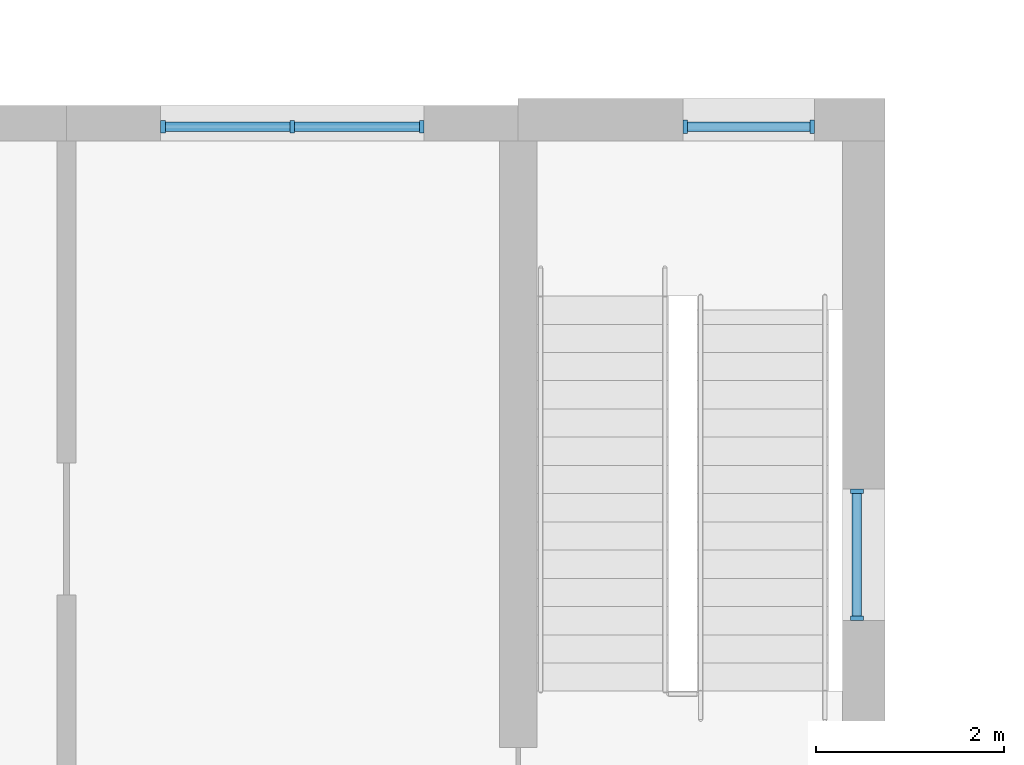
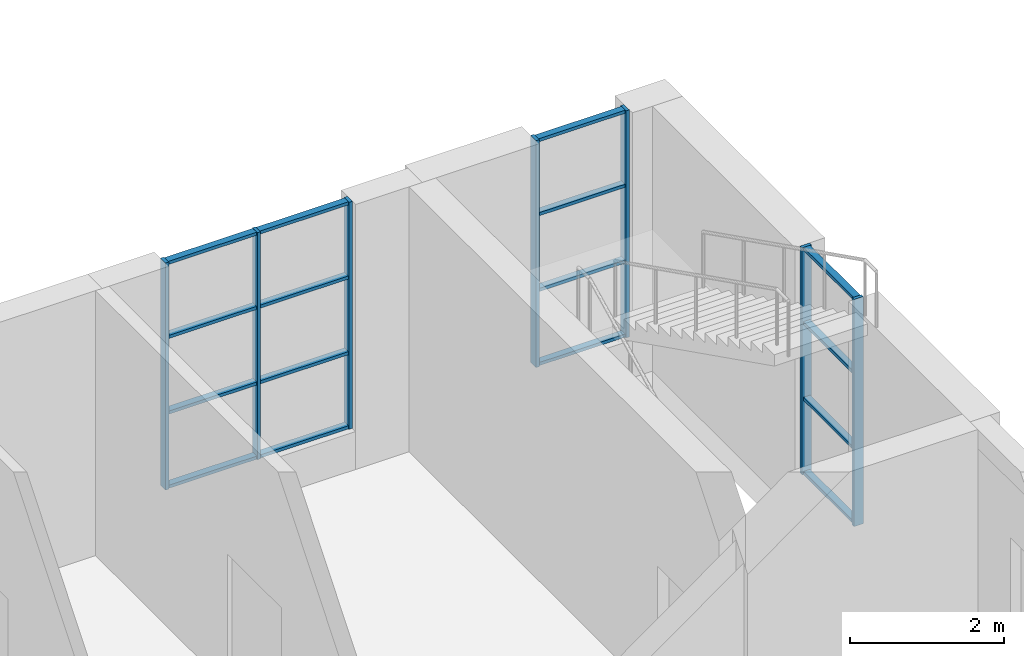
# One storey, part 18 of 66: 23 members, 3 elements without a shape of their own.
"""IFC4 building model written with IfcOpenShell, lengths in metres."""

from ifc_helpers import new_model, si_unit, direction, frame, origin, origin_2d, place, context, subcontext, project, spatial, rectangle, extrude, material, material_profile, profile_set, type_object, element, aggregate, save


model = new_model("IFC4")

# Units and contexts
model_context = context("Model", 3, precision=1e-05, world=origin(), true_north=direction((0.0, 1.0)))
body_context = subcontext(model_context, "Body", "Model", "MODEL_VIEW")
ifc_project = project(units=[si_unit("LENGTHUNIT", "METRE"), si_unit("AREAUNIT", "SQUARE_METRE"), si_unit("VOLUMEUNIT", "CUBIC_METRE"), si_unit("PLANEANGLEUNIT", "RADIAN"), si_unit("MASSUNIT", "GRAM", prefix="KILO")], contexts=[model_context])

# Site, building, storey
site_placement = place(None, origin())
site = spatial("IfcSite", under=ifc_project, at=site_placement, CompositionType="ELEMENT")
building_placement = place(site_placement, origin())
building = spatial("IfcBuilding", under=site, at=building_placement, Name="Yavir Park General Hospital", CompositionType="ELEMENT")
storey_placement = place(building_placement, frame((0.0, 0.0, 8.39990234375)))
storey = spatial("IfcBuildingStorey", under=building, at=storey_placement, Name="L02", CompositionType="ELEMENT", Elevation=8.39990234375)

# Curtain wall, members
ifc_material_1 = material(Name="Aluminium curtain wall frame with insulated glazing", Category="aluminium")
curtain_wall_type_1 = type_object("IfcCurtainWallType", Name="Clinical corridor end glazing, 3600 high, 1400 module", PredefinedType="NOTDEFINED", material=ifc_material_1)
curtain_wall_1_placement = place(storey_placement, origin())
curtain_wall_1 = element("IfcCurtainWall", 1, at=curtain_wall_1_placement, inside=storey, type_object=curtain_wall_type_1, Name="CW59 L02-016", PredefinedType="NOTDEFINED")
ifc_material_2 = material(Name="Aluminium", Category="aluminium")
ifc_material_profile_1 = material_profile(ifc_material_2, rectangle(XDim=0.1298828125, YDim=0.050048828125, at=origin_2d()), Name="AL 50x130")
ifc_profile_set_1 = profile_set([ifc_material_profile_1], Name="Aluminium")
member_type_1 = type_object("IfcMemberType", Name="Clinical corridor end glazing, 3600 high mullion 50 x 130", PredefinedType="MULLION", material=ifc_profile_set_1)
member_1_placement = place(storey_placement, frame((17.824951171875, 117.60009765625, 0.60009765625), z_axis=(0.0, 0.0, 1.0), x_axis=(0.0, 1.0, 0.0)))
member_1 = element("IfcMember", 2, at=member_1_placement, type_object=member_type_1, Name="CW59 mullion 1", PredefinedType="MULLION", context=body_context, shape_type="SweptSolid", body=[
    extrude(rectangle(XDim=0.1298828125, YDim=0.050048828125, at=origin_2d()), origin(), (0.0, 0.0, 1.0), 3.60009765625),
])
member_2_placement = place(storey_placement, frame((19.199951171875, 117.60009765625, 0.60009765625), z_axis=(0.0, 0.0, 1.0), x_axis=(0.0, 1.0, 0.0)))
member_2 = element("IfcMember", 3, at=member_2_placement, type_object=member_type_1, Name="CW59 mullion 2", PredefinedType="MULLION", context=body_context, shape_type="SweptSolid", body=[
    extrude(rectangle(XDim=0.1298828125, YDim=0.050048828125, at=origin_2d()), origin(), (0.0, 0.0, 1.0), 3.60009765625),
])
member_3_placement = place(storey_placement, frame((20.574951171875, 117.60009765625, 0.60009765625), z_axis=(0.0, 0.0, 1.0), x_axis=(0.0, 1.0, 0.0)))
member_3 = element("IfcMember", 4, at=member_3_placement, type_object=member_type_1, Name="CW59 mullion 3", PredefinedType="MULLION", context=body_context, shape_type="SweptSolid", body=[
    extrude(rectangle(XDim=0.1298828125, YDim=0.050048828125, at=origin_2d()), origin(), (0.0, 0.0, 1.0), 3.60009765625),
])
ifc_material_3 = material(Name="Aluminium", Category="aluminium")
ifc_material_profile_2 = material_profile(ifc_material_3, rectangle(XDim=0.10009765625, YDim=0.050048828125, at=origin_2d()), Name="AL 100x50")
ifc_profile_set_2 = profile_set([ifc_material_profile_2], Name="Aluminium")
member_type_2 = type_object("IfcMemberType", Name="Clinical corridor end glazing, 3600 high transom 50 x 100", PredefinedType="MULLION", material=ifc_profile_set_2)
member_4_placement = place(storey_placement, frame((17.85009765625, 117.60009765625, 0.625), z_axis=(1.0, 0.0, 0.0), x_axis=(0.0, 1.0, 0.0)))
member_4 = element("IfcMember", 5, at=member_4_placement, type_object=member_type_2, Name="CW59 transom 1.1", PredefinedType="MULLION", context=body_context, shape_type="SweptSolid", body=[
    extrude(rectangle(XDim=0.10009765625, YDim=0.050048828125, at=origin_2d()), origin(), (0.0, 0.0, 1.0), 1.324951171875),
])
member_5_placement = place(storey_placement, frame((17.85009765625, 117.60009765625, 1.800048828125), z_axis=(1.0, 0.0, 0.0), x_axis=(0.0, 1.0, 0.0)))
member_5 = element("IfcMember", 6, at=member_5_placement, type_object=member_type_2, Name="CW59 transom 1.2", PredefinedType="MULLION", context=body_context, shape_type="SweptSolid", body=[
    extrude(rectangle(XDim=0.10009765625, YDim=0.050048828125, at=origin_2d()), origin(), (0.0, 0.0, 1.0), 1.324951171875),
])
member_6_placement = place(storey_placement, frame((17.85009765625, 117.60009765625, 3.0), z_axis=(1.0, 0.0, 0.0), x_axis=(0.0, 1.0, 0.0)))
member_6 = element("IfcMember", 7, at=member_6_placement, type_object=member_type_2, Name="CW59 transom 1.3", PredefinedType="MULLION", context=body_context, shape_type="SweptSolid", body=[
    extrude(rectangle(XDim=0.10009765625, YDim=0.050048828125, at=origin_2d()), origin(), (0.0, 0.0, 1.0), 1.324951171875),
])
member_7_placement = place(storey_placement, frame((17.85009765625, 117.60009765625, 4.175048828125), z_axis=(1.0, 0.0, 0.0), x_axis=(0.0, 1.0, 0.0)))
member_7 = element("IfcMember", 8, at=member_7_placement, type_object=member_type_2, Name="CW59 transom 1.4", PredefinedType="MULLION", context=body_context, shape_type="SweptSolid", body=[
    extrude(rectangle(XDim=0.10009765625, YDim=0.050048828125, at=origin_2d()), origin(), (0.0, 0.0, 1.0), 1.324951171875),
])
member_8_placement = place(storey_placement, frame((19.22509765625, 117.60009765625, 0.625), z_axis=(1.0, 0.0, 0.0), x_axis=(0.0, 1.0, 0.0)))
member_8 = element("IfcMember", 9, at=member_8_placement, type_object=member_type_2, Name="CW59 transom 2.1", PredefinedType="MULLION", context=body_context, shape_type="SweptSolid", body=[
    extrude(rectangle(XDim=0.10009765625, YDim=0.050048828125, at=origin_2d()), origin(), (0.0, 0.0, 1.0), 1.324951171875),
])
member_9_placement = place(storey_placement, frame((19.22509765625, 117.60009765625, 1.800048828125), z_axis=(1.0, 0.0, 0.0), x_axis=(0.0, 1.0, 0.0)))
member_9 = element("IfcMember", 10, at=member_9_placement, type_object=member_type_2, Name="CW59 transom 2.2", PredefinedType="MULLION", context=body_context, shape_type="SweptSolid", body=[
    extrude(rectangle(XDim=0.10009765625, YDim=0.050048828125, at=origin_2d()), origin(), (0.0, 0.0, 1.0), 1.324951171875),
])
member_10_placement = place(storey_placement, frame((19.22509765625, 117.60009765625, 3.0), z_axis=(1.0, 0.0, 0.0), x_axis=(0.0, 1.0, 0.0)))
member_10 = element("IfcMember", 11, at=member_10_placement, type_object=member_type_2, Name="CW59 transom 2.3", PredefinedType="MULLION", context=body_context, shape_type="SweptSolid", body=[
    extrude(rectangle(XDim=0.10009765625, YDim=0.050048828125, at=origin_2d()), origin(), (0.0, 0.0, 1.0), 1.324951171875),
])
member_11_placement = place(storey_placement, frame((19.22509765625, 117.60009765625, 4.175048828125), z_axis=(1.0, 0.0, 0.0), x_axis=(0.0, 1.0, 0.0)))
member_11 = element("IfcMember", 12, at=member_11_placement, type_object=member_type_2, Name="CW59 transom 2.4", PredefinedType="MULLION", context=body_context, shape_type="SweptSolid", body=[
    extrude(rectangle(XDim=0.10009765625, YDim=0.050048828125, at=origin_2d()), origin(), (0.0, 0.0, 1.0), 1.324951171875),
])
aggregate(curtain_wall_1, [member_1, member_2, member_3, member_4, member_5, member_6, member_7, member_8, member_9, member_10, member_11])

ifc_material_4 = material(Name="Aluminium curtain wall frame with insulated glazing", Category="aluminium")
curtain_wall_type_2 = type_object("IfcCurtainWallType", Name="Stair light slot, podium, 3600 high, 1400 module", PredefinedType="NOTDEFINED", material=ifc_material_4)
curtain_wall_2_placement = place(storey_placement, origin())
curtain_wall_2 = element("IfcCurtainWall", 13, at=curtain_wall_2_placement, inside=storey, type_object=curtain_wall_type_2, Name="CW57 L02-017", PredefinedType="NOTDEFINED")
ifc_material_5 = material(Name="Aluminium", Category="aluminium")
ifc_material_profile_3 = material_profile(ifc_material_5, rectangle(XDim=0.139892578125, YDim=0.050048828125, at=origin_2d()), Name="AL 50x140")
ifc_profile_set_3 = profile_set([ifc_material_profile_3], Name="Aluminium")
member_type_3 = type_object("IfcMemberType", Name="Stair light slot, podium, 3600 high mullion 50 x 140", PredefinedType="MULLION", material=ifc_profile_set_3)
member_12_placement = place(storey_placement, frame((23.375, 117.60009765625, 0.60009765625), z_axis=(0.0, 0.0, 1.0), x_axis=(0.0, 1.0, 0.0)))
member_12 = element("IfcMember", 14, at=member_12_placement, type_object=member_type_3, Name="CW57 mullion 1", PredefinedType="MULLION", context=body_context, shape_type="SweptSolid", body=[
    extrude(rectangle(XDim=0.139892578125, YDim=0.050048828125, at=origin_2d()), origin(), (0.0, 0.0, 1.0), 3.60009765625),
])
member_13_placement = place(storey_placement, frame((24.72509765625, 117.60009765625, 0.60009765625), z_axis=(0.0, 0.0, 1.0), x_axis=(0.0, 1.0, 0.0)))
member_13 = element("IfcMember", 15, at=member_13_placement, type_object=member_type_3, Name="CW57 mullion 2", PredefinedType="MULLION", context=body_context, shape_type="SweptSolid", body=[
    extrude(rectangle(XDim=0.139892578125, YDim=0.050048828125, at=origin_2d()), origin(), (0.0, 0.0, 1.0), 3.60009765625),
])

curtain_wall_3_placement = place(storey_placement, origin())
curtain_wall_3 = element("IfcCurtainWall", 16, at=curtain_wall_3_placement, inside=storey, type_object=curtain_wall_type_2, Name="CW57 L02-024", PredefinedType="NOTDEFINED")
member_14_placement = place(storey_placement, frame((25.199951171875, 112.375, 0.60009765625), z_axis=(0.0, 0.0, 1.0), x_axis=(-1.0, 0.0, 0.0)))
member_14 = element("IfcMember", 17, at=member_14_placement, type_object=member_type_3, Name="CW57 mullion 1", PredefinedType="MULLION", context=body_context, shape_type="SweptSolid", body=[
    extrude(rectangle(XDim=0.139892578125, YDim=0.050048828125, at=origin_2d()), origin(), (0.0, 0.0, 1.0), 3.60009765625),
])
member_15_placement = place(storey_placement, frame((25.199951171875, 113.72509765625, 0.60009765625), z_axis=(0.0, 0.0, 1.0), x_axis=(-1.0, 0.0, 0.0)))
member_15 = element("IfcMember", 18, at=member_15_placement, type_object=member_type_3, Name="CW57 mullion 2", PredefinedType="MULLION", context=body_context, shape_type="SweptSolid", body=[
    extrude(rectangle(XDim=0.139892578125, YDim=0.050048828125, at=origin_2d()), origin(), (0.0, 0.0, 1.0), 3.60009765625),
])

# Member
ifc_material_6 = material(Name="Aluminium", Category="aluminium")
ifc_material_profile_4 = material_profile(ifc_material_6, rectangle(XDim=0.10009765625, YDim=0.050048828125, at=origin_2d()), Name="AL 100x50")
ifc_profile_set_4 = profile_set([ifc_material_profile_4], Name="Aluminium")
member_type_4 = type_object("IfcMemberType", Name="Stair light slot, podium, 3600 high transom 50 x 100", PredefinedType="MULLION", material=ifc_profile_set_4)
member_16_placement = place(storey_placement, frame((23.39990234375, 117.60009765625, 0.625), z_axis=(1.0, 0.0, 0.0), x_axis=(0.0, 1.0, 0.0)))
member_16 = element("IfcMember", 19, at=member_16_placement, type_object=member_type_4, Name="CW57 transom 1.1", PredefinedType="MULLION", context=body_context, shape_type="SweptSolid", body=[
    extrude(rectangle(XDim=0.10009765625, YDim=0.050048828125, at=origin_2d()), origin(), (0.0, 0.0, 1.0), 1.300048828125),
])

member_17_placement = place(storey_placement, frame((23.39990234375, 117.60009765625, 1.800048828125), z_axis=(1.0, 0.0, 0.0), x_axis=(0.0, 1.0, 0.0)))
member_17 = element("IfcMember", 20, at=member_17_placement, type_object=member_type_4, Name="CW57 transom 1.2", PredefinedType="MULLION", context=body_context, shape_type="SweptSolid", body=[
    extrude(rectangle(XDim=0.10009765625, YDim=0.050048828125, at=origin_2d()), origin(), (0.0, 0.0, 1.0), 1.300048828125),
])

member_18_placement = place(storey_placement, frame((23.39990234375, 117.60009765625, 3.0), z_axis=(1.0, 0.0, 0.0), x_axis=(0.0, 1.0, 0.0)))
member_18 = element("IfcMember", 21, at=member_18_placement, type_object=member_type_4, Name="CW57 transom 1.3", PredefinedType="MULLION", context=body_context, shape_type="SweptSolid", body=[
    extrude(rectangle(XDim=0.10009765625, YDim=0.050048828125, at=origin_2d()), origin(), (0.0, 0.0, 1.0), 1.300048828125),
])

member_19_placement = place(storey_placement, frame((23.39990234375, 117.60009765625, 4.175048828125), z_axis=(1.0, 0.0, 0.0), x_axis=(0.0, 1.0, 0.0)))
member_19 = element("IfcMember", 22, at=member_19_placement, type_object=member_type_4, Name="CW57 transom 1.4", PredefinedType="MULLION", context=body_context, shape_type="SweptSolid", body=[
    extrude(rectangle(XDim=0.10009765625, YDim=0.050048828125, at=origin_2d()), origin(), (0.0, 0.0, 1.0), 1.300048828125),
])

aggregate(curtain_wall_2, [member_12, member_13, member_16, member_17, member_18, member_19])

member_20_placement = place(storey_placement, frame((25.199951171875, 112.39990234375, 0.625), z_axis=(0.0, 1.0, 0.0), x_axis=(-1.0, 0.0, 0.0)))
member_20 = element("IfcMember", 23, at=member_20_placement, type_object=member_type_4, Name="CW57 transom 1.1", PredefinedType="MULLION", context=body_context, shape_type="SweptSolid", body=[
    extrude(rectangle(XDim=0.10009765625, YDim=0.050048828125, at=origin_2d()), origin(), (0.0, 0.0, 1.0), 1.300048828125),
])

member_21_placement = place(storey_placement, frame((25.199951171875, 112.39990234375, 1.800048828125), z_axis=(0.0, 1.0, 0.0), x_axis=(-1.0, 0.0, 0.0)))
member_21 = element("IfcMember", 24, at=member_21_placement, type_object=member_type_4, Name="CW57 transom 1.2", PredefinedType="MULLION", context=body_context, shape_type="SweptSolid", body=[
    extrude(rectangle(XDim=0.10009765625, YDim=0.050048828125, at=origin_2d()), origin(), (0.0, 0.0, 1.0), 1.300048828125),
])

member_22_placement = place(storey_placement, frame((25.199951171875, 112.39990234375, 3.0), z_axis=(0.0, 1.0, 0.0), x_axis=(-1.0, 0.0, 0.0)))
member_22 = element("IfcMember", 25, at=member_22_placement, type_object=member_type_4, Name="CW57 transom 1.3", PredefinedType="MULLION", context=body_context, shape_type="SweptSolid", body=[
    extrude(rectangle(XDim=0.10009765625, YDim=0.050048828125, at=origin_2d()), origin(), (0.0, 0.0, 1.0), 1.300048828125),
])

member_23_placement = place(storey_placement, frame((25.199951171875, 112.39990234375, 4.175048828125), z_axis=(0.0, 1.0, 0.0), x_axis=(-1.0, 0.0, 0.0)))
member_23 = element("IfcMember", 26, at=member_23_placement, type_object=member_type_4, Name="CW57 transom 1.4", PredefinedType="MULLION", context=body_context, shape_type="SweptSolid", body=[
    extrude(rectangle(XDim=0.10009765625, YDim=0.050048828125, at=origin_2d()), origin(), (0.0, 0.0, 1.0), 1.300048828125),
])

aggregate(curtain_wall_3, [member_14, member_15, member_20, member_21, member_22, member_23])

save(model, "model.ifc")
